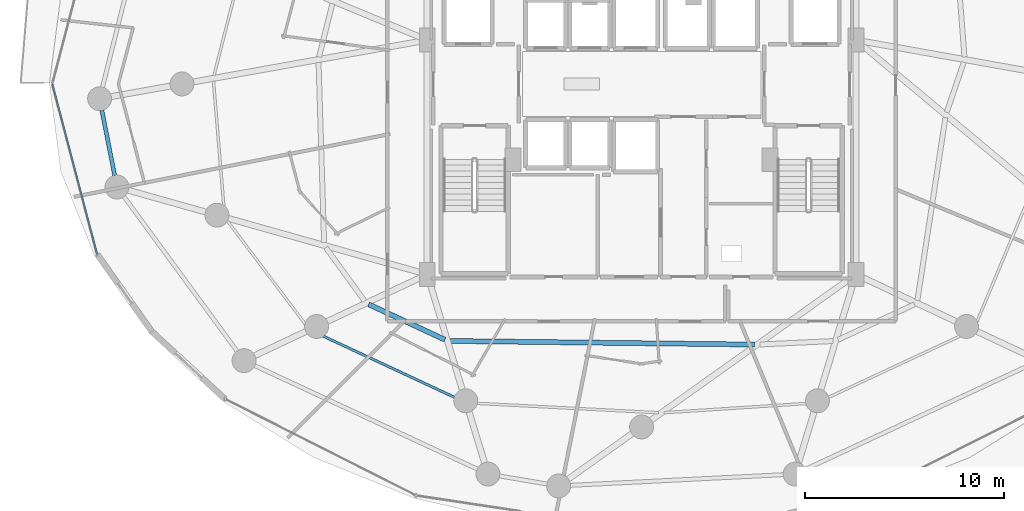
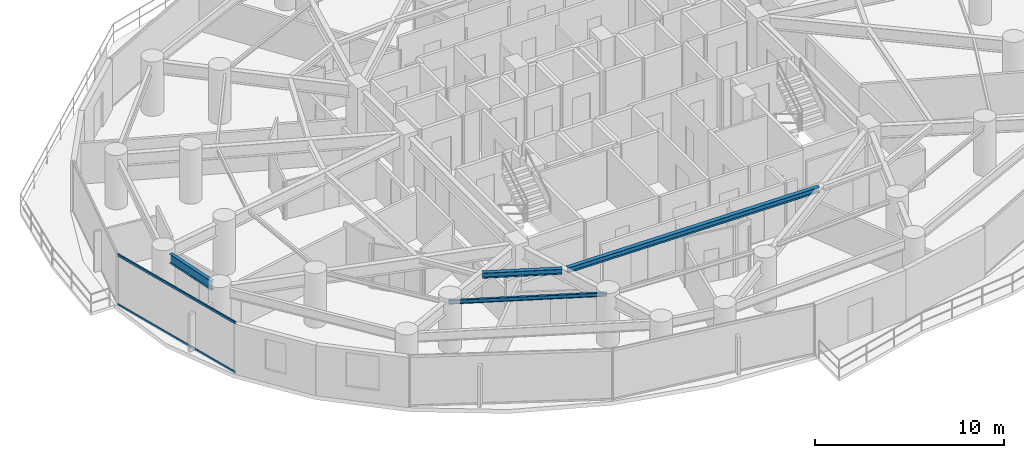
# One storey, part 7 of 35: 4 beams, 2 members, 1 element without a shape of its own.
"""IFC4 building model written with IfcOpenShell, lengths in metres."""

from ifc_helpers import new_model, si_unit, direction, frame, origin, origin_2d, place, context, subcontext, project, spatial, hollow_rectangle, i_section, extrude, material, material_profile, profile_set, type_object, element, aggregate, save


model = new_model("IFC4")

# Units and contexts
model_context = context("Model", 3, precision=1e-05, world=origin(), true_north=direction((0.0, 1.0)))
body_context = subcontext(model_context, "Body", "Model", "MODEL_VIEW")
ifc_project = project(units=[si_unit("LENGTHUNIT", "METRE"), si_unit("AREAUNIT", "SQUARE_METRE"), si_unit("VOLUMEUNIT", "CUBIC_METRE"), si_unit("PLANEANGLEUNIT", "RADIAN"), si_unit("MASSUNIT", "GRAM", prefix="KILO")], contexts=[model_context])

# Site, building, storey
site_placement = place(None, origin())
site = spatial("IfcSite", under=ifc_project, at=site_placement, CompositionType="ELEMENT")
building_placement = place(site_placement, origin())
building = spatial("IfcBuilding", under=site, at=building_placement, Name="Vorneva Point Tower", CompositionType="ELEMENT")
storey_placement = place(building_placement, frame((0.0, 0.0, 52.0)))
storey = spatial("IfcBuildingStorey", under=building, at=storey_placement, Name="L13", CompositionType="ELEMENT", Elevation=52.0)

# Beams
ifc_material_1 = material(Name="Steel S355", Category="steel")
ifc_material_profile_1 = material_profile(ifc_material_1, i_section(OverallWidth=0.1240234375, OverallDepth=0.248046875, WebThickness=0.0048828125, FlangeThickness=0.008056640625, at=origin_2d()), Name="25B1")
ifc_profile_set_1 = profile_set([ifc_material_profile_1], Name="Steel S355")
beam_type_1 = type_object("IfcBeamType", Name="BM-JST-25B1", PredefinedType="JOIST", material=ifc_profile_set_1)
beam_1_placement = place(storey_placement, frame((21.4736328125, 13.61328125, 3.115966796875), z_axis=(0.906471160493, -0.422267729283, 0.0), x_axis=(0.422267729283, 0.906471160493, 0.0)))
element("IfcBeam", 1, at=beam_1_placement, inside=storey, type_object=beam_type_1, Name="L13 Secondary Floor Beam 1.11", PredefinedType="JOIST", context=body_context, shape_type="SweptSolid", body=[
    extrude(i_section(OverallWidth=0.1240234375, OverallDepth=0.248046875, WebThickness=0.0048828125, FlangeThickness=0.008056640625, at=origin_2d()), origin(), (0.0, 0.0, 1.0), 8.396240234375),
])
ifc_material_profile_2 = material_profile(ifc_material_1, i_section(OverallWidth=0.2490234375, OverallDepth=0.333984375, WebThickness=0.008056640625, FlangeThickness=0.010986328125, at=origin_2d()), Name="35Sh1")
ifc_profile_set_2 = profile_set([ifc_material_profile_2], Name="Steel S355")
beam_type_2 = type_object("IfcBeamType", Name="BM-SEC-35Sh1", PredefinedType="BEAM", material=ifc_profile_set_2)
beam_2_placement = place(storey_placement, frame((24.312255859375, 14.949951171875, 3.072998046875), z_axis=(0.906844001893, -0.421466435474, 0.0), x_axis=(0.421466435474, 0.906844001893, 0.0)))
element("IfcBeam", 2, at=beam_2_placement, inside=storey, type_object=beam_type_2, Name="L13 Secondary Floor Beam 2.11", PredefinedType="BEAM", context=body_context, shape_type="SweptSolid", body=[
    extrude(i_section(OverallWidth=0.2490234375, OverallDepth=0.333984375, WebThickness=0.008056640625, FlangeThickness=0.010986328125, at=origin_2d()), origin(), (0.0, 0.0, 1.0), 4.22119140625),
])
beam_3_placement = place(storey_placement, frame((28.4033203125, 13.111083984375, 3.072998046875), z_axis=(0.999930123965, -0.011821471494, 0.0), x_axis=(0.011821471494, 0.999930123965, 0.0)))
element("IfcBeam", 3, at=beam_3_placement, inside=storey, type_object=beam_type_2, Name="L13 Secondary Floor Beam 2.12", PredefinedType="BEAM", context=body_context, shape_type="SweptSolid", body=[
    extrude(i_section(OverallWidth=0.2490234375, OverallDepth=0.333984375, WebThickness=0.008056640625, FlangeThickness=0.010986328125, at=origin_2d()), origin(), (0.0, 0.0, 1.0), 15.261962890625),
])
ifc_material_profile_3 = material_profile(ifc_material_1, i_section(OverallWidth=0.198974609375, OverallDepth=0.595947265625, WebThickness=0.010009765625, FlangeThickness=0.014892578125, at=origin_2d()), Name="60B1")
ifc_profile_set_3 = profile_set([ifc_material_profile_3], Name="Steel S355")
beam_type_3 = type_object("IfcBeamType", Name="BM-SPN-60B1", PredefinedType="SPANDREL", material=ifc_profile_set_3)
beam_4_placement = place(storey_placement, frame((10.9306640625, 24.68701171875, 2.94189453125), z_axis=(0.192691361054, -0.981259414923, 0.0), x_axis=(0.981259414923, 0.192691361054, 0.0)))
element("IfcBeam", 4, at=beam_4_placement, inside=storey, type_object=beam_type_3, Name="L13 Perimeter Spandrel Ring Beam 09", PredefinedType="SPANDREL", context=body_context, shape_type="SweptSolid", body=[
    extrude(i_section(OverallWidth=0.198974609375, OverallDepth=0.595947265625, WebThickness=0.010009765625, FlangeThickness=0.014892578125, at=origin_2d()), origin(), (0.0, 0.0, 1.0), 3.34619140625),
])

# Curtain wall, members
ifc_material_2 = material(Name="Pale anodised aluminium", Category="aluminium")
curtain_wall_type = type_object("IfcCurtainWallType", Name="CW-HTL-SYS", PredefinedType="NOTDEFINED", material=ifc_material_2)
curtain_wall_placement = place(storey_placement, origin())
curtain_wall = element("IfcCurtainWall", 5, at=curtain_wall_placement, inside=storey, type_object=curtain_wall_type, Name="L13 Unitised Curtain Wall CW-L13-R03", PredefinedType="NOTDEFINED")
ifc_material_profile_4 = material_profile(ifc_material_2, hollow_rectangle(XDim=0.074951171875, YDim=0.14990234375, WallThickness=0.00390625, at=origin_2d()), Name="AL-TRN 150x75x4")
ifc_profile_set_4 = profile_set([ifc_material_profile_4], Name="Pale anodised aluminium")
member_type = type_object("IfcMemberType", Name="CW-TRN-150", PredefinedType="USERDEFINED", material=ifc_profile_set_4)
member_1_placement = place(storey_placement, frame((8.449951171875, 26.0, 0.02001953125), z_axis=(0.254358772746, -0.967109928978, 0.0), x_axis=(0.967109928978, 0.254358772746, 0.0)))
member_1 = element("IfcMember", 6, at=member_1_placement, type_object=member_type, Name="CW-L13-R03 Transom 02.1", ObjectType="TRANSOM", PredefinedType="USERDEFINED", context=body_context, shape_type="SweptSolid", body=[
    extrude(hollow_rectangle(XDim=0.074951171875, YDim=0.14990234375, WallThickness=0.00390625, at=origin_2d()), origin(), (0.0, 0.0, 1.0), 8.84375),
])
member_2_placement = place(storey_placement, frame((8.449951171875, 26.0, 3.219970703125), z_axis=(0.254358772746, -0.967109928978, 0.0), x_axis=(0.967109928978, 0.254358772746, 0.0)))
member_2 = element("IfcMember", 7, at=member_2_placement, type_object=member_type, Name="CW-L13-R03 Transom 02.2", ObjectType="TRANSOM", PredefinedType="USERDEFINED", context=body_context, shape_type="SweptSolid", body=[
    extrude(hollow_rectangle(XDim=0.074951171875, YDim=0.14990234375, WallThickness=0.00390625, at=origin_2d()), origin(), (0.0, 0.0, 1.0), 8.84375),
])
aggregate(curtain_wall, [member_1, member_2])

save(model, "model.ifc")
